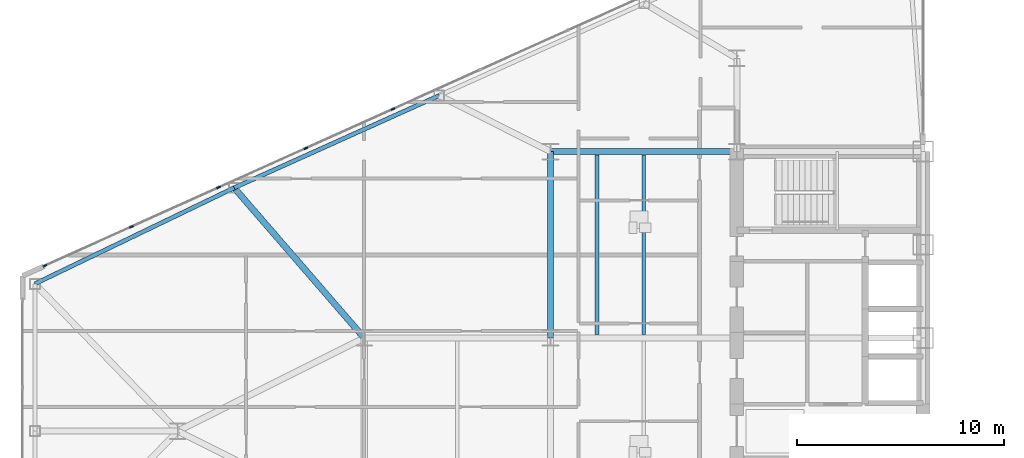
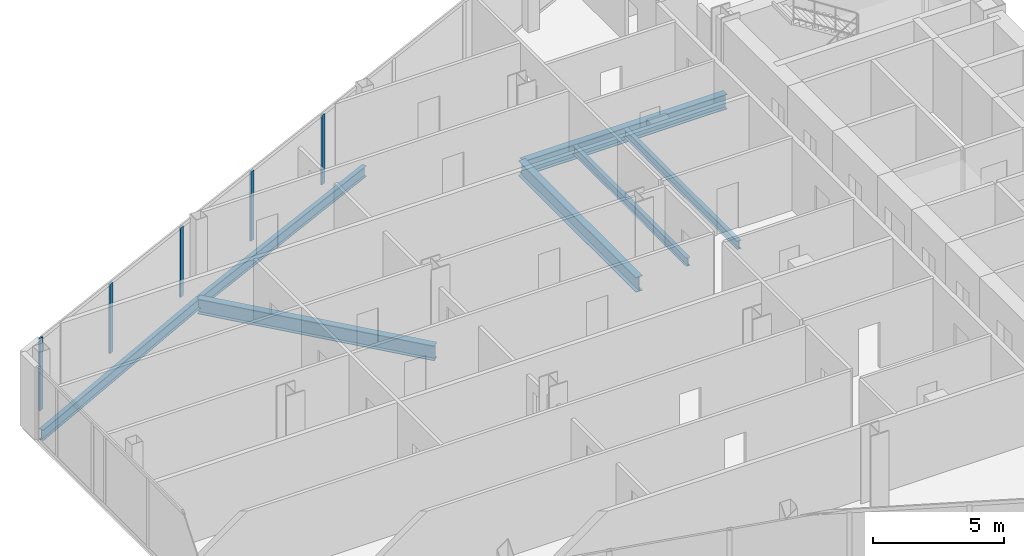
# One storey, part 7 of 27: 7 beams, 5 members, 1 element without a shape of its own.
"""IFC4 building model written with IfcOpenShell, lengths in metres."""

from ifc_helpers import new_model, si_unit, direction, frame, origin, origin_2d, place, context, subcontext, project, spatial, rectangle, i_section, extrude, source, transform, mapped, material, layer, layer_set, material_profile, profile_set, type_object, type_shapes, element, aggregate, save


model = new_model("IFC4")

# Units and contexts
model_context = context("Model", 3, precision=1e-05, world=origin(), true_north=direction((0.0, 1.0)))
body_context = subcontext(model_context, "Body", "Model", "MODEL_VIEW")
ifc_project = project(units=[si_unit("LENGTHUNIT", "METRE"), si_unit("AREAUNIT", "SQUARE_METRE"), si_unit("VOLUMEUNIT", "CUBIC_METRE"), si_unit("PLANEANGLEUNIT", "RADIAN"), si_unit("MASSUNIT", "GRAM", prefix="KILO")], contexts=[model_context])

# Site, building, storey
site_placement = place(None, origin())
site = spatial("IfcSite", under=ifc_project, at=site_placement, CompositionType="ELEMENT")
building_placement = place(site_placement, origin())
building = spatial("IfcBuilding", under=site, at=building_placement, Name="Seokmaru Belvedere", CompositionType="ELEMENT")
storey_placement = place(building_placement, frame((0.0, 0.0, 92.39990234375)))
storey = spatial("IfcBuildingStorey", under=building, at=storey_placement, Name="L24", CompositionType="ELEMENT", Elevation=92.39990234375)

# Beams
ifc_material_1 = material(Name="Steel SM355 (355 MPa)", Category="steel")
ifc_material_profile_1 = material_profile(ifc_material_1, i_section(OverallWidth=0.300048828125, OverallDepth=0.699951171875, WebThickness=0.012939453125, FlangeThickness=0.02392578125, at=origin_2d()), Name="H-700x300x13x24")
ifc_profile_set_1 = profile_set([ifc_material_profile_1], Name="Steel SM355 (355 MPa)")
beam_type_1 = type_object("IfcBeamType", Name="Primary Floor Girder H-700", PredefinedType="BEAM", material=ifc_profile_set_1)
shared_shape_1 = source(origin(), body_context, "Body", "SweptSolid", [
    extrude(i_section(OverallWidth=0.300048828125, OverallDepth=0.699951171875, WebThickness=0.012939453125, FlangeThickness=0.02392578125, at=origin_2d()), origin(), (0.0, 0.0, 1.0), 9.0),
])
for number, where, z_axis, x_axis, name in (
    (1, (-45.5, 4.5, -0.56982421875), (0.0, 1.0, 0.0), (-1.0, 0.0, 0.0), "L24 W Interior Grid Girder 3"),
    (2, (-45.5, 13.5, -0.56982421875), (1.0, 0.0, 0.0), (0.0, 1.0, 0.0), "L24 W Wing Primary Girder 4"),
):
    element("IfcBeam", number, at=place(storey_placement, frame(where, z_axis=z_axis, x_axis=x_axis)), inside=storey, type_object=beam_type_1, Name=name, PredefinedType="BEAM", context=body_context, shape_type="MappedRepresentation", body=[
        mapped(shared_shape_1, transform((0.0, 0.0, 0.0), scale=1.0)),
    ])
ifc_material_profile_2 = material_profile(ifc_material_1, i_section(OverallWidth=0.18505859375, OverallDepth=0.389892578125, WebThickness=0.008056640625, FlangeThickness=0.011962890625, at=origin_2d()), Name="H-390x185x8x12")
ifc_profile_set_2 = profile_set([ifc_material_profile_2], Name="Steel SM355 (355 MPa)")
beam_type_2 = type_object("IfcBeamType", Name="Secondary Floor Joist H-350", PredefinedType="JOIST", material=ifc_profile_set_2)
shared_shape_2 = source(origin(), body_context, "Body", "SweptSolid", [
    extrude(i_section(OverallWidth=0.18505859375, OverallDepth=0.389892578125, WebThickness=0.008056640625, FlangeThickness=0.011962890625, at=origin_2d()), origin(), (0.0, 0.0, 1.0), 8.68994140625),
])
type_shapes(beam_type_2, [shared_shape_2])
for number, where, z_axis, x_axis, name in (
    (3, (-43.25, 4.655029296875, -0.414794921875), (0.0, 1.0, 0.0), (-1.0, 0.0, 0.0), "L24 W Wing Inner Secondary Joist 2"),
    (4, (-41.0, 4.655029296875, -0.414794921875), (0.0, 1.0, 0.0), (-1.0, 0.0, 0.0), "L24 W Secondary Floor Joist 3"),
):
    element("IfcBeam", number, at=place(storey_placement, frame(where, z_axis=z_axis, x_axis=x_axis)), inside=storey, type_object=beam_type_2, Name=name, PredefinedType="JOIST", context=body_context, shape_type="MappedRepresentation", body=[
        mapped(shared_shape_2, transform((0.0, 0.0, 0.0), scale=1.0)),
    ])
ifc_material_profile_3 = material_profile(ifc_material_1, i_section(OverallWidth=0.199951171875, OverallDepth=0.5, WebThickness=0.010009765625, FlangeThickness=0.01611328125, at=origin_2d()), Name="H-500x200x10x16")
ifc_profile_set_3 = profile_set([ifc_material_profile_3], Name="Steel SM355 (355 MPa)")
beam_type_3 = type_object("IfcBeamType", Name="Perimeter Spandrel Beam H-500", PredefinedType="SPANDREL", material=ifc_profile_set_3)
shared_shape_3 = source(origin(), body_context, "Body", "SweptSolid", [
    extrude(i_section(OverallWidth=0.199951171875, OverallDepth=0.5, WebThickness=0.010009765625, FlangeThickness=0.01611328125, at=origin_2d()), origin(), (0.0, 0.0, 1.0), 10.85888671875),
])
beam_1_placement = place(storey_placement, frame((-50.875, 16.205322265625, -0.469970703125), z_axis=(-0.911925291223, -0.410356263785, 0.0), x_axis=(0.410356263785, -0.911925291223, 0.0)))
element("IfcBeam", 5, at=beam_1_placement, inside=storey, type_object=beam_type_3, Name="L24 W Faceted Flank Spandrel N-3", PredefinedType="SPANDREL", context=body_context, shape_type="MappedRepresentation", body=[
    mapped(shared_shape_3, transform((0.0, 0.0, 0.0), scale=1.0)),
])
shared_shape_4 = source(origin(), body_context, "Body", "SweptSolid", [
    extrude(i_section(OverallWidth=0.199951171875, OverallDepth=0.5, WebThickness=0.010009765625, FlangeThickness=0.01611328125, at=origin_2d()), origin(), (0.0, 0.0, 1.0), 10.681396484375),
])
type_shapes(beam_type_3, [shared_shape_3, shared_shape_4])
beam_2_placement = place(storey_placement, frame((-60.777587890625, 11.749267578125, -0.469970703125), z_axis=(-0.900846426616, -0.434137899352, 0.0), x_axis=(0.434137899352, -0.900846426616, 0.0)))
element("IfcBeam", 6, at=beam_2_placement, inside=storey, type_object=beam_type_3, Name="L24 W Faceted Flank Spandrel N-4", PredefinedType="SPANDREL", context=body_context, shape_type="MappedRepresentation", body=[
    mapped(shared_shape_4, transform((0.0, 0.0, 0.0), scale=1.0)),
])
shared_shape_5 = source(origin(), body_context, "Body", "SweptSolid", [
    extrude(i_section(OverallWidth=0.300048828125, OverallDepth=0.699951171875, WebThickness=0.012939453125, FlangeThickness=0.02392578125, at=origin_2d()), origin(), (0.0, 0.0, 1.0), 9.589599609375),
])
type_shapes(beam_type_1, [shared_shape_1, shared_shape_5])
beam_3_placement = place(storey_placement, frame((-60.777587890625, 11.749267578125, -0.56982421875), z_axis=(0.654626140929, -0.755952786629, 0.0), x_axis=(0.755952786629, 0.654626140929, 0.0)))
element("IfcBeam", 7, at=beam_3_placement, inside=storey, type_object=beam_type_1, Name="L24 W Flank Radial Floor Girder N-3", PredefinedType="BEAM", context=body_context, shape_type="MappedRepresentation", body=[
    mapped(shared_shape_5, transform((0.0, 0.0, 0.0), scale=1.0)),
])

# Curtain wall, members
ifc_material_2 = material(Name="Bronze Triple Insulating Glass", Category="glass")
ifc_layer = layer(ifc_material_2, 0.195068359375)
ifc_layer_set = layer_set([ifc_layer], Name="Bronze Triple Insulating Glass")
curtain_wall_type = type_object("IfcCurtainWallType", Name="Lower-Mid Tapered Curtain Wall System CW-3", PredefinedType="NOTDEFINED", material=ifc_layer_set)
curtain_wall_placement = place(storey_placement, origin())
curtain_wall = element("IfcCurtainWall", 8, at=curtain_wall_placement, inside=storey, type_object=curtain_wall_type, Name="L24 Curtain Wall WF3", PredefinedType="NOTDEFINED")
ifc_material_3 = material(Name="Anodised Bronze Aluminium", Category="aluminium")
ifc_material_profile_4 = material_profile(ifc_material_3, rectangle(XDim=0.070068359375, YDim=0.195068359375, at=origin_2d()), Name="CW-M-70x195")
ifc_profile_set_4 = profile_set([ifc_material_profile_4], Name="Anodised Bronze Aluminium")
member_type = type_object("IfcMemberType", Name="Bronze Unitised Mullion 70x195", PredefinedType="MULLION", material=ifc_profile_set_4)
shared_shape_6 = source(origin(), body_context, "Body", "SweptSolid", [
    extrude(rectangle(XDim=0.070068359375, YDim=0.195068359375, at=origin_2d()), origin(), (0.0, 0.0, 1.0), 3.239990234375),
])
member_1_placement = place(storey_placement, frame((-53.105712890625, 15.552490234375, 0.070068359375), z_axis=(0.0, 0.0, 1.0), x_axis=(0.41036554765, -0.91192111353, 0.0)))
member_1 = element("IfcMember", 9, at=member_1_placement, type_object=member_type, Name="CW:L24:WF3 Mullion 6", PredefinedType="MULLION", context=body_context, shape_type="MappedRepresentation", body=[
    mapped(shared_shape_6, transform((0.0, 0.0, 0.0), scale=1.0)),
])
member_2_placement = place(storey_placement, frame((-57.317138671875, 13.6572265625, 0.070068359375), z_axis=(0.0, 0.0, 1.0), x_axis=(0.41036554765, -0.91192111353, 0.0)))
member_2 = element("IfcMember", 10, at=member_2_placement, type_object=member_type, Name="CW:L24:WF3 Mullion 7", PredefinedType="MULLION", context=body_context, shape_type="MappedRepresentation", body=[
    mapped(shared_shape_6, transform((0.0, 0.0, 0.0), scale=1.0)),
])
member_3_placement = place(storey_placement, frame((-61.528564453125, 11.76220703125, 0.070068359375), z_axis=(0.0, 0.0, 1.0), x_axis=(0.41036554765, -0.91192111353, 0.0)))
member_3 = element("IfcMember", 11, at=member_3_placement, type_object=member_type, Name="CW:L24:WF3 Mullion 8", PredefinedType="MULLION", context=body_context, shape_type="MappedRepresentation", body=[
    mapped(shared_shape_6, transform((0.0, 0.0, 0.0), scale=1.0)),
])
member_4_placement = place(storey_placement, frame((-65.739990234375, 9.866943359375, 0.070068359375), z_axis=(0.0, 0.0, 1.0), x_axis=(0.41036554765, -0.91192111353, 0.0)))
member_4 = element("IfcMember", 12, at=member_4_placement, type_object=member_type, Name="CW:L24:WF3 Mullion 9", PredefinedType="MULLION", context=body_context, shape_type="MappedRepresentation", body=[
    mapped(shared_shape_6, transform((0.0, 0.0, 0.0), scale=1.0)),
])
shared_shape_7 = source(origin(), body_context, "Body", "SweptSolid", [
    extrude(rectangle(XDim=0.070068359375, YDim=0.195068359375, at=origin_2d()), origin(), (0.0, 0.0, 1.0), 3.380126953125),
])
type_shapes(member_type, [shared_shape_6, shared_shape_7])
member_5_placement = place(storey_placement, frame((-69.91943359375, 7.986328125, 0.0), z_axis=(0.0, 0.0, 1.0), x_axis=(0.41036554765, -0.91192111353, 0.0)))
member_5 = element("IfcMember", 13, at=member_5_placement, type_object=member_type, Name="CW:L24:WF3 Mullion 10", PredefinedType="MULLION", context=body_context, shape_type="MappedRepresentation", body=[
    mapped(shared_shape_7, transform((0.0, 0.0, 0.0), scale=1.0)),
])
aggregate(curtain_wall, [member_1, member_2, member_3, member_4, member_5])

save(model, "model.ifc")
